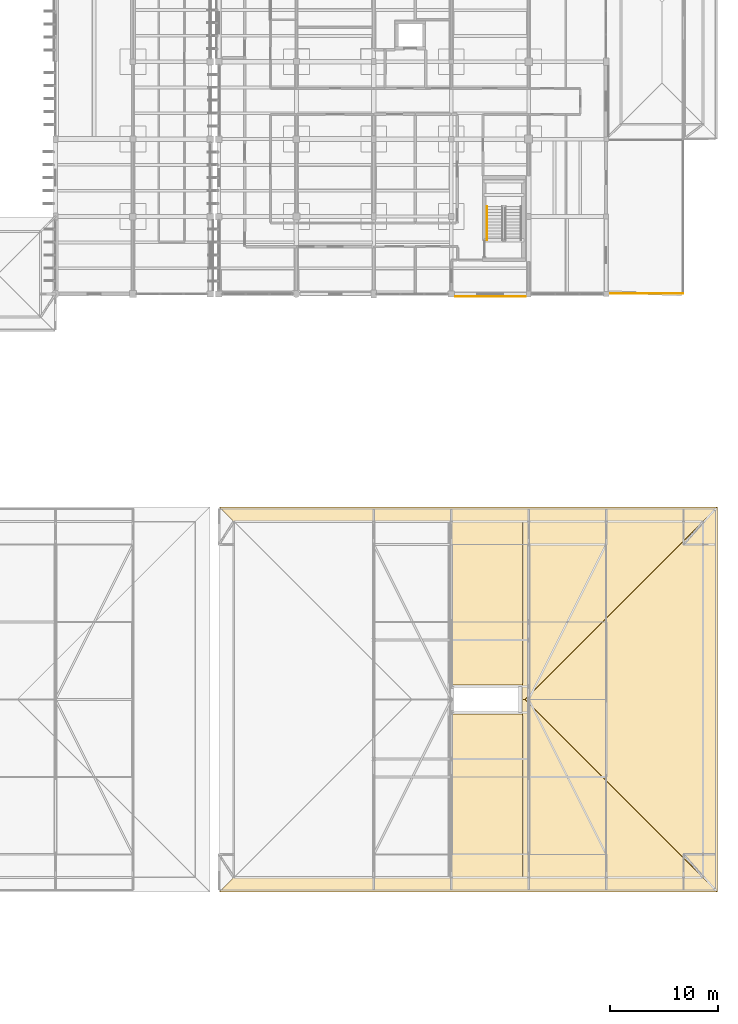
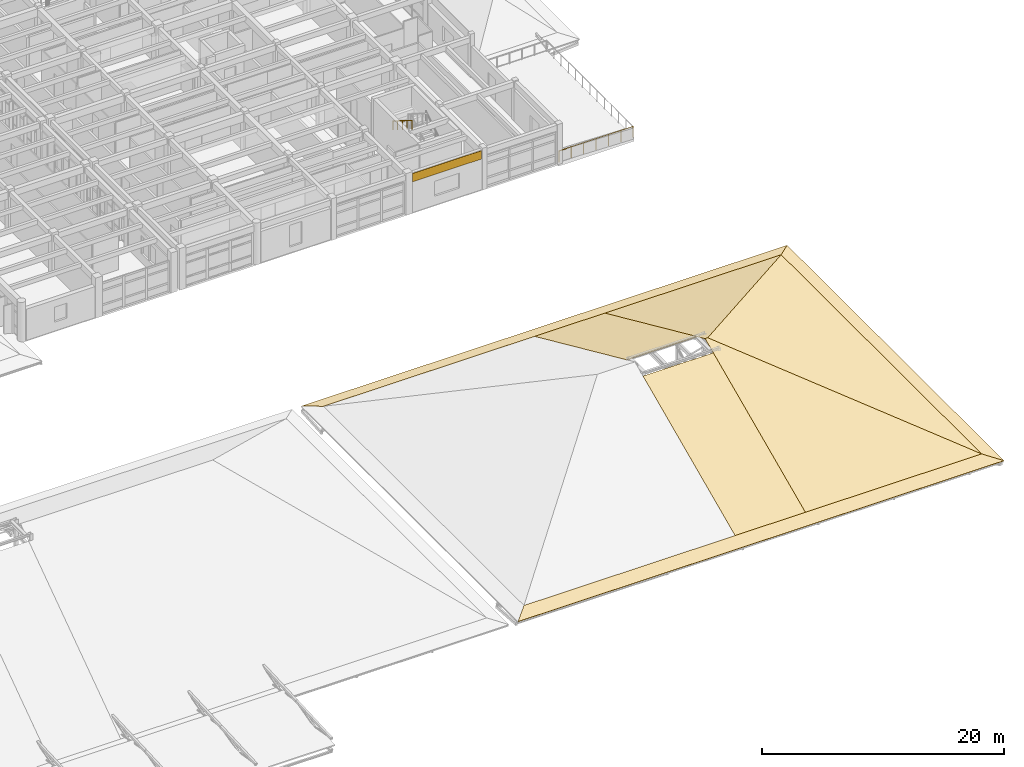
# One storey, part 98 of 100: 9 coverings, 2 railings.
"""IFC4 building model written with IfcOpenShell, lengths in metres."""

from ifc_helpers import new_model, si_unit, direction, frame, origin, origin_2d, place, context, subcontext, project, spatial, polyline, rectangle, circle, outline, extrude, material, layer, layer_set, type_object, element, save


model = new_model("IFC4")

# Units and contexts
model_context = context("Model", 3, precision=1e-05, world=origin(), true_north=direction((0.0, 1.0)))
body_context = subcontext(model_context, "Body", "Model", "MODEL_VIEW")
ifc_project = project(units=[si_unit("LENGTHUNIT", "METRE"), si_unit("AREAUNIT", "SQUARE_METRE"), si_unit("VOLUMEUNIT", "CUBIC_METRE"), si_unit("PLANEANGLEUNIT", "RADIAN"), si_unit("MASSUNIT", "GRAM", prefix="KILO")], contexts=[model_context])

# Site, building, storey
site_placement = place(None, origin())
site = spatial("IfcSite", under=ifc_project, at=site_placement, CompositionType="ELEMENT")
building_placement = place(site_placement, origin())
building = spatial("IfcBuilding", under=site, at=building_placement, Name="Steenspoor Specialist Clinic", CompositionType="ELEMENT")
storey_placement = place(building_placement, frame((0.0, 0.0, 9.0)))
storey = spatial("IfcBuildingStorey", under=building, at=storey_placement, Name="L02", CompositionType="ELEMENT", Elevation=9.0)

# Coverings
ifc_material_1 = material(Name="Glazed ceramic relief spandrel cladding", Category="masonry")
ifc_layer_1 = layer(ifc_material_1, 0.034912109375)
ifc_layer_set_1 = layer_set([ifc_layer_1], Name="Glazed ceramic relief spandrel cladding")
covering_type_1 = type_object("IfcCoveringType", Name="COV-CLAD-CERAMIC", PredefinedType="CLADDING", material=ifc_layer_set_1)
covering_1_placement = place(storey_placement, frame((143.237548828125, 64.93505859375, 3.11474609375), z_axis=(0.0, 0.0, 1.0), x_axis=(-1.0, 0.0, 0.0)))
element("IfcCovering", 1, at=covering_1_placement, inside=storey, type_object=covering_type_1, Name="Spandrel Cladding 89", PredefinedType="CLADDING", context=body_context, shape_type="SweptSolid", body=[
    extrude(rectangle(XDim=6.554931640625, YDim=0.0400390625, at=origin_2d()), origin(), (0.0, 0.0, 1.0), 0.840087890625),
])
ifc_material_2 = material(Name="Extruded terracotta clay roof tile", Category="masonry")
ifc_layer_2 = layer(ifc_material_2, 0.044921875)
ifc_layer_set_2 = layer_set([ifc_layer_2], Name="Extruded terracotta clay roof tile")
covering_type_2 = type_object("IfcCoveringType", Name="COV-ROOF-TILE", PredefinedType="ROOFING", material=ifc_layer_set_2)
covering_2_placement = place(storey_placement, frame((118.030029296875, 9.550048828125, 0.048095703125), z_axis=(0.0, -0.241833577284, 0.970317742236), x_axis=(1.0, 0.0, 0.0)))
element("IfcCovering", 2, at=covering_2_placement, inside=storey, type_object=covering_type_2, Name="Clay Tile Roofing V2 SKS", PredefinedType="ROOFING", context=body_context, shape_type="SweptSolid", body=[
    extrude(outline(polyline([(0.0, 0.0), (46.320068359375, 0.0), (44.969970703125, 1.3911458658008673), (1.349853515625, 1.3911458658008673), (0.0, 0.0)])), origin(), (0.0, 0.0, -1.0), 0.044921875),
])
covering_3_placement = place(storey_placement, frame((164.35009765625, 45.35009765625, 0.048095703125), z_axis=(0.0, 0.241792402976, 0.970328003235), x_axis=(-1.0, 0.0, 0.0)))
element("IfcCovering", 3, at=covering_3_placement, inside=storey, type_object=covering_type_2, Name="Clay Tile Roofing V2 SKN", PredefinedType="ROOFING", context=body_context, shape_type="SweptSolid", body=[
    extrude(outline(polyline([(0.0, 0.0), (46.320068359375, 0.0), (44.97021484375, 1.3913827610335756), (1.35009765625, 1.3913827610335756), (0.0, 0.0)])), origin(), (0.0, 0.0, -1.0), 0.044921875),
])
covering_4_placement = place(storey_placement, frame((164.35009765625, 9.550048828125, 0.048095703125), z_axis=(0.241792402976, 0.0, 0.970328003235), x_axis=(0.0, 1.0, 0.0)))
element("IfcCovering", 4, at=covering_4_placement, inside=storey, type_object=covering_type_2, Name="Clay Tile Roofing V2 SKE", PredefinedType="ROOFING", context=body_context, shape_type="SweptSolid", body=[
    extrude(outline(polyline([(0.0, 0.0), (35.800048828125, 0.0), (34.449951171875, 1.3913827610335754), (1.349853515625, 1.3913827610335754), (0.0, 0.0)])), origin(), (0.0, 0.0, -1.0), 0.044921875),
])
covering_5_placement = place(storey_placement, frame((146.199951171875, 27.449951171875, 7.847900390625), z_axis=(0.0, -0.411090881332, 0.911594365541), x_axis=(0.0, -0.911594365541, -0.411090881332)))
element("IfcCovering", 5, at=covering_5_placement, inside=storey, type_object=covering_type_2, Name="Clay Tile Roofing V2 S2", PredefinedType="ROOFING", context=body_context, shape_type="SweptSolid", body=[
    extrude(outline(polyline([(0.0, 0.0), (18.155058273428352, 0.0), (18.155058273428352, 16.800048828125), (0.0, 0.25), (0.0, 0.0)])), origin(), (0.0, 0.0, -1.0), 0.044921875),
])
covering_6_placement = place(storey_placement, frame((146.199951171875, 10.89990234375, 0.384521484375), z_axis=(0.0, -0.41109510881, 0.911592459113), x_axis=(0.0, 0.911592459113, 0.41109510881)))
element("IfcCovering", 6, at=covering_6_placement, inside=storey, type_object=covering_type_2, Name="Clay Tile Roofing V2 S3", PredefinedType="ROOFING", context=body_context, shape_type="SweptSolid", body=[
    extrude(outline(polyline([(0.0, 0.0), (16.674332000600913, 0.0), (16.674332000600913, 6.699951171875), (0.0, 6.699951171875), (0.0, 0.0)])), origin(), (0.0, 0.0, -1.0), 0.044921875),
])
covering_7_placement = place(storey_placement, frame((146.199951171875, 44.0, 0.384521484375), z_axis=(0.0, 0.411090881332, 0.911594365541), x_axis=(0.0, -0.911594365541, 0.411090881332)))
element("IfcCovering", 7, at=covering_7_placement, inside=storey, type_object=covering_type_2, Name="Clay Tile Roofing V2 N2", PredefinedType="ROOFING", context=body_context, shape_type="SweptSolid", body=[
    extrude(outline(polyline([(0.0, 0.0), (18.155058273428352, 0.0), (18.155058273428352, 0.25), (0.0, 16.800048828125), (0.0, 0.0)])), origin(), (0.0, 0.0, -1.0), 0.044921875),
])
covering_8_placement = place(storey_placement, frame((139.5, 44.0, 0.384521484375), z_axis=(0.0, 0.411100595872, 0.911589984628), x_axis=(0.0, -0.911589984628, 0.411100595872)))
element("IfcCovering", 8, at=covering_8_placement, inside=storey, type_object=covering_type_2, Name="Clay Tile Roofing V2 N3", PredefinedType="ROOFING", context=body_context, shape_type="SweptSolid", body=[
    extrude(outline(polyline([(0.0, 0.0), (16.674109444150258, 0.0), (16.674109444150258, 6.699951171875), (0.0, 6.699951171875), (0.0, 0.0)])), origin(), (0.0, 0.0, -1.0), 0.044921875),
])
covering_9_placement = place(storey_placement, frame((163.0, 10.89990234375, 0.384521484375), z_axis=(0.411090881332, 0.0, 0.911594365541), x_axis=(0.0, 1.0, 0.0)))
element("IfcCovering", 9, at=covering_9_placement, inside=storey, type_object=covering_type_2, Name="Clay Tile Roofing V2 E", PredefinedType="ROOFING", context=body_context, shape_type="SweptSolid", body=[
    extrude(outline(polyline([(0.0, 0.0), (33.10009765625, 0.0), (16.550048828125, 18.15505827342835), (0.0, 0.0)])), origin(), (0.0, 0.0, -1.0), 0.044921875),
])

# Railings
ifc_material_3 = material(Name="Galvanised architectural steel exterior guard", Category="steel")
railing_type_1 = type_object("IfcRailingType", Name="RAIL-EGUARD-1100", PredefinedType="GUARDRAIL", material=ifc_material_3)
railing_1_placement = place(storey_placement, frame((154.06005859375, 65.2099609375, 0.0)))
element("IfcRailing", 10, at=railing_1_placement, inside=storey, type_object=railing_type_1, Name="Terrace Perimeter Guard 22", PredefinedType="GUARDRAIL", context=body_context, shape_type="SweptSolid", body=[
    extrude(circle(Radius=0.02392578125, at=origin_2d()), frame((0.0, 0.0, 1.09619140625), z_axis=(1.0, 0.0, 0.0), x_axis=(0.0, 1.0, 0.0)), (0.0, 0.0, 1.0), 7.079833984375),
    extrude(circle(Radius=0.02099609375, at=origin_2d()), origin(), (0.0, 0.0, 1.0), 1.072021484375),
    extrude(circle(Radius=0.02099609375, at=origin_2d()), frame((1.179931640625, 0.0, 0.0)), (0.0, 0.0, 1.0), 1.072021484375),
    extrude(circle(Radius=0.02099609375, at=origin_2d()), frame((2.35986328125, 0.0, 0.0)), (0.0, 0.0, 1.0), 1.072021484375),
    extrude(circle(Radius=0.02099609375, at=origin_2d()), frame((3.5400390625, 0.0, 0.0)), (0.0, 0.0, 1.0), 1.072021484375),
    extrude(circle(Radius=0.02099609375, at=origin_2d()), frame((4.719970703125, 0.0, 0.0)), (0.0, 0.0, 1.0), 1.072021484375),
    extrude(circle(Radius=0.02099609375, at=origin_2d()), frame((5.89990234375, 0.0, 0.0)), (0.0, 0.0, 1.0), 1.072021484375),
    extrude(circle(Radius=0.02099609375, at=origin_2d()), frame((7.079833984375, 0.0, 0.0)), (0.0, 0.0, 1.0), 1.072021484375),
])
ifc_material_4 = material(Name="Brushed stainless steel clinical handrail", Category="steel")
railing_type_2 = type_object("IfcRailingType", Name="RAIL-HAND-900", PredefinedType="HANDRAIL", material=ifc_material_4)
railing_2_placement = place(storey_placement, frame((142.89990234375, 73.284912109375, 2.27490234375)))
element("IfcRailing", 11, at=railing_2_placement, inside=storey, type_object=railing_type_2, Name="L02 ST-V6B stair handrail 2", PredefinedType="HANDRAIL", context=body_context, shape_type="SweptSolid", body=[
    extrude(circle(Radius=0.02392578125, at=origin_2d()), frame((0.0, 0.0, 0.8759765625), z_axis=(0.0, -0.852166034122, 0.523271488128), x_axis=(1.0, 0.0, 0.0)), (0.0, 0.0, 1.0), 3.678955078125),
    extrude(circle(Radius=0.02099609375, at=origin_2d()), origin(), (0.0, 0.0, 1.0), 0.851806640625),
    extrude(circle(Radius=0.02099609375, at=origin_2d()), frame((0.0, -0.78369140625, 0.481201171875)), (0.0, 0.0, 1.0), 0.851806640625),
    extrude(circle(Radius=0.02099609375, at=origin_2d()), frame((0.0, -1.5673828125, 0.96240234375)), (0.0, 0.0, 1.0), 0.851806640625),
    extrude(circle(Radius=0.02099609375, at=origin_2d()), frame((0.0, -2.351318359375, 1.44384765625)), (0.0, 0.0, 1.0), 0.851806640625),
    extrude(circle(Radius=0.02099609375, at=origin_2d()), frame((0.0, -3.135009765625, 1.925048828125)), (0.0, 0.0, 1.0), 0.851806640625),
])

save(model, "model.ifc")
